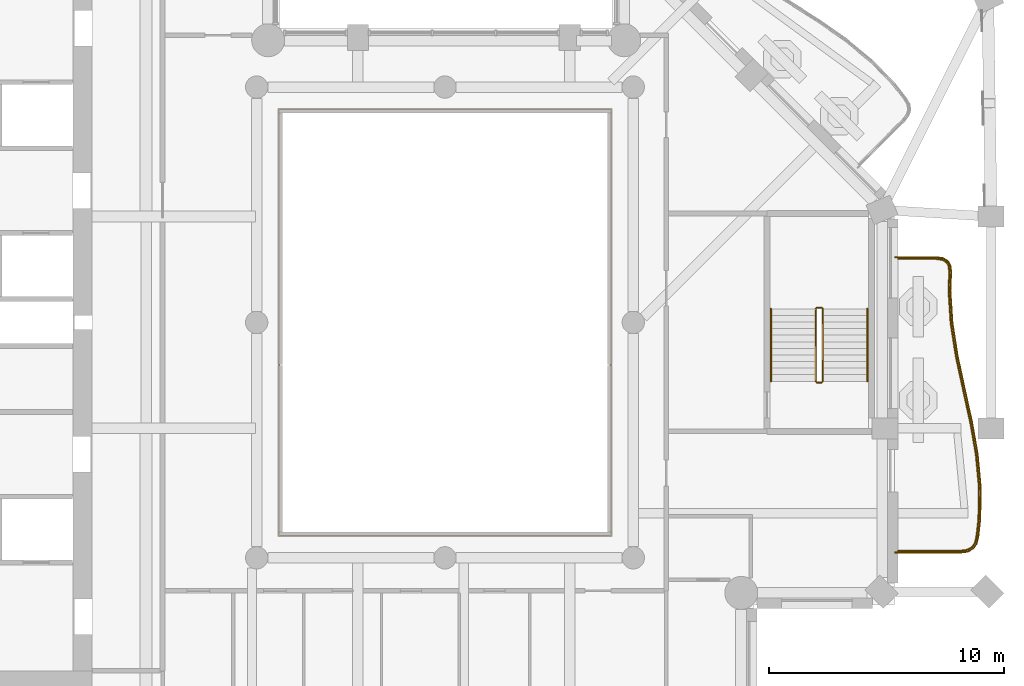
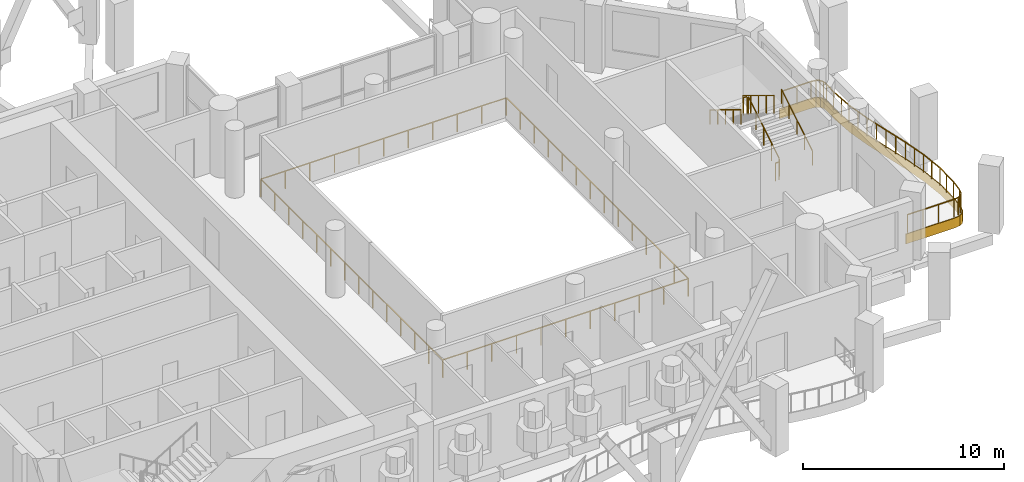
# One storey, part 13 of 16: 8 railings, 1 covering.
"""IFC4 building model written with IfcOpenShell, lengths in metres."""

from ifc_helpers import new_model, si_unit, direction, frame, origin, origin_2d, place, context, subcontext, project, spatial, polyline, rectangle, outline, extrude, material, layer, layer_set, type_object, element, save


model = new_model("IFC4")

# Units and contexts
model_context = context("Model", 3, precision=1e-05, world=origin(), true_north=direction((0.0, 1.0)))
body_context = subcontext(model_context, "Body", "Model", "MODEL_VIEW")
ifc_project = project(units=[si_unit("LENGTHUNIT", "METRE"), si_unit("AREAUNIT", "SQUARE_METRE"), si_unit("VOLUMEUNIT", "CUBIC_METRE"), si_unit("PLANEANGLEUNIT", "RADIAN"), si_unit("MASSUNIT", "GRAM", prefix="KILO")], contexts=[model_context])

# Site, building, storey
site_placement = place(None, origin())
site = spatial("IfcSite", under=ifc_project, at=site_placement, CompositionType="ELEMENT")
building_placement = place(site_placement, origin())
building = spatial("IfcBuilding", under=site, at=building_placement, Name="Cypress Arch Tower", CompositionType="ELEMENT")
storey_placement = place(building_placement, frame((0.0, 0.0, 168.699951171875)))
storey = spatial("IfcBuildingStorey", under=building, at=storey_placement, Name="L36", CompositionType="ELEMENT", Elevation=168.699951171875)

# Railing
ifc_material_1 = material(Name="Stainless steel posts and handrail, laminated glass infill", Category="steel")
railing_type_1 = type_object("IfcRailingType", Name="Atrium guard GR1100A", PredefinedType="GUARDRAIL", material=ifc_material_1)
railing_1_placement = place(storey_placement, frame((8.050048828125, -9.050048828125, 0.0)))
element("IfcRailing", 1, at=railing_1_placement, inside=storey, type_object=railing_type_1, Name="Atrium guard L36", PredefinedType="GUARDRAIL", context=body_context, shape_type="SweptSolid", body=[
    extrude(rectangle(XDim=0.050048828125, YDim=0.050048828125, at=origin_2d()), frame((0.0, 0.0, 1.0751953125), z_axis=(-1.0, 0.0, 0.0), x_axis=(0.0, -1.0, 0.0)), (0.0, 0.0, 1.0), 14.10009765625),
    extrude(rectangle(XDim=0.050048828125, YDim=0.050048828125, at=origin_2d()), frame((-14.10009765625, 0.0, 1.0751953125), z_axis=(0.0, 1.0, 0.0), x_axis=(-1.0, 0.0, 0.0)), (0.0, 0.0, 1.0), 18.10009765625),
    extrude(rectangle(XDim=0.050048828125, YDim=0.050048828125, at=origin_2d()), frame((-14.10009765625, 18.10009765625, 1.0751953125), z_axis=(1.0, 0.0, 0.0), x_axis=(0.0, 1.0, 0.0)), (0.0, 0.0, 1.0), 14.10009765625),
    extrude(rectangle(XDim=0.050048828125, YDim=0.050048828125, at=origin_2d()), frame((0.0, 18.10009765625, 1.0751953125), z_axis=(0.0, -1.0, 0.0), x_axis=(1.0, 0.0, 0.0)), (0.0, 0.0, 1.0), 18.10009765625),
    extrude(rectangle(XDim=0.050048828125, YDim=0.050048828125, at=origin_2d()), origin(), (0.0, 0.0, 1.0), 1.050048828125),
    extrude(rectangle(XDim=0.050048828125, YDim=0.050048828125, at=origin_2d()), frame((-1.409912109375, 0.0, 0.0)), (0.0, 0.0, 1.0), 1.050048828125),
    extrude(rectangle(XDim=0.050048828125, YDim=0.050048828125, at=origin_2d()), frame((-2.820068359375, 0.0, 0.0)), (0.0, 0.0, 1.0), 1.050048828125),
    extrude(rectangle(XDim=0.050048828125, YDim=0.050048828125, at=origin_2d()), frame((-4.22998046875, 0.0, 0.0)), (0.0, 0.0, 1.0), 1.050048828125),
    extrude(rectangle(XDim=0.050048828125, YDim=0.050048828125, at=origin_2d()), frame((-5.64013671875, 0.0, 0.0)), (0.0, 0.0, 1.0), 1.050048828125),
    extrude(rectangle(XDim=0.050048828125, YDim=0.050048828125, at=origin_2d()), frame((-7.050048828125, 0.0, 0.0)), (0.0, 0.0, 1.0), 1.050048828125),
    extrude(rectangle(XDim=0.050048828125, YDim=0.050048828125, at=origin_2d()), frame((-8.4599609375, 0.0, 0.0)), (0.0, 0.0, 1.0), 1.050048828125),
    extrude(rectangle(XDim=0.050048828125, YDim=0.050048828125, at=origin_2d()), frame((-9.8701171875, 0.0, 0.0)), (0.0, 0.0, 1.0), 1.050048828125),
    extrude(rectangle(XDim=0.050048828125, YDim=0.050048828125, at=origin_2d()), frame((-11.280029296875, 0.0, 0.0)), (0.0, 0.0, 1.0), 1.050048828125),
    extrude(rectangle(XDim=0.050048828125, YDim=0.050048828125, at=origin_2d()), frame((-12.690185546875, 0.0, 0.0)), (0.0, 0.0, 1.0), 1.050048828125),
    extrude(rectangle(XDim=0.050048828125, YDim=0.050048828125, at=origin_2d()), frame((-14.10009765625, 0.0, 0.0)), (0.0, 0.0, 1.0), 1.050048828125),
    extrude(rectangle(XDim=0.050048828125, YDim=0.050048828125, at=origin_2d()), frame((-14.10009765625, 1.392333984375, 0.0)), (0.0, 0.0, 1.0), 1.050048828125),
    extrude(rectangle(XDim=0.050048828125, YDim=0.050048828125, at=origin_2d()), frame((-14.10009765625, 2.78466796875, 0.0)), (0.0, 0.0, 1.0), 1.050048828125),
    extrude(rectangle(XDim=0.050048828125, YDim=0.050048828125, at=origin_2d()), frame((-14.10009765625, 4.177001953125, 0.0)), (0.0, 0.0, 1.0), 1.050048828125),
    extrude(rectangle(XDim=0.050048828125, YDim=0.050048828125, at=origin_2d()), frame((-14.10009765625, 5.5693359375, 0.0)), (0.0, 0.0, 1.0), 1.050048828125),
    extrude(rectangle(XDim=0.050048828125, YDim=0.050048828125, at=origin_2d()), frame((-14.10009765625, 6.961669921875, 0.0)), (0.0, 0.0, 1.0), 1.050048828125),
    extrude(rectangle(XDim=0.050048828125, YDim=0.050048828125, at=origin_2d()), frame((-14.10009765625, 8.35400390625, 0.0)), (0.0, 0.0, 1.0), 1.050048828125),
    extrude(rectangle(XDim=0.050048828125, YDim=0.050048828125, at=origin_2d()), frame((-14.10009765625, 9.74609375, 0.0)), (0.0, 0.0, 1.0), 1.050048828125),
    extrude(rectangle(XDim=0.050048828125, YDim=0.050048828125, at=origin_2d()), frame((-14.10009765625, 11.138427734375, 0.0)), (0.0, 0.0, 1.0), 1.050048828125),
    extrude(rectangle(XDim=0.050048828125, YDim=0.050048828125, at=origin_2d()), frame((-14.10009765625, 12.53076171875, 0.0)), (0.0, 0.0, 1.0), 1.050048828125),
    extrude(rectangle(XDim=0.050048828125, YDim=0.050048828125, at=origin_2d()), frame((-14.10009765625, 13.923095703125, 0.0)), (0.0, 0.0, 1.0), 1.050048828125),
    extrude(rectangle(XDim=0.050048828125, YDim=0.050048828125, at=origin_2d()), frame((-14.10009765625, 15.3154296875, 0.0)), (0.0, 0.0, 1.0), 1.050048828125),
    extrude(rectangle(XDim=0.050048828125, YDim=0.050048828125, at=origin_2d()), frame((-14.10009765625, 16.707763671875, 0.0)), (0.0, 0.0, 1.0), 1.050048828125),
    extrude(rectangle(XDim=0.050048828125, YDim=0.050048828125, at=origin_2d()), frame((-14.10009765625, 18.10009765625, 0.0)), (0.0, 0.0, 1.0), 1.050048828125),
    extrude(rectangle(XDim=0.050048828125, YDim=0.050048828125, at=origin_2d()), frame((-12.690185546875, 18.10009765625, 0.0)), (0.0, 0.0, 1.0), 1.050048828125),
    extrude(rectangle(XDim=0.050048828125, YDim=0.050048828125, at=origin_2d()), frame((-11.280029296875, 18.10009765625, 0.0)), (0.0, 0.0, 1.0), 1.050048828125),
    extrude(rectangle(XDim=0.050048828125, YDim=0.050048828125, at=origin_2d()), frame((-9.8701171875, 18.10009765625, 0.0)), (0.0, 0.0, 1.0), 1.050048828125),
    extrude(rectangle(XDim=0.050048828125, YDim=0.050048828125, at=origin_2d()), frame((-8.4599609375, 18.10009765625, 0.0)), (0.0, 0.0, 1.0), 1.050048828125),
    extrude(rectangle(XDim=0.050048828125, YDim=0.050048828125, at=origin_2d()), frame((-7.050048828125, 18.10009765625, 0.0)), (0.0, 0.0, 1.0), 1.050048828125),
    extrude(rectangle(XDim=0.050048828125, YDim=0.050048828125, at=origin_2d()), frame((-5.64013671875, 18.10009765625, 0.0)), (0.0, 0.0, 1.0), 1.050048828125),
    extrude(rectangle(XDim=0.050048828125, YDim=0.050048828125, at=origin_2d()), frame((-4.22998046875, 18.10009765625, 0.0)), (0.0, 0.0, 1.0), 1.050048828125),
    extrude(rectangle(XDim=0.050048828125, YDim=0.050048828125, at=origin_2d()), frame((-2.820068359375, 18.10009765625, 0.0)), (0.0, 0.0, 1.0), 1.050048828125),
    extrude(rectangle(XDim=0.050048828125, YDim=0.050048828125, at=origin_2d()), frame((-1.409912109375, 18.10009765625, 0.0)), (0.0, 0.0, 1.0), 1.050048828125),
    extrude(rectangle(XDim=0.050048828125, YDim=0.050048828125, at=origin_2d()), frame((0.0, 18.10009765625, 0.0)), (0.0, 0.0, 1.0), 1.050048828125),
    extrude(rectangle(XDim=0.050048828125, YDim=0.050048828125, at=origin_2d()), frame((0.0, 16.707763671875, 0.0)), (0.0, 0.0, 1.0), 1.050048828125),
    extrude(rectangle(XDim=0.050048828125, YDim=0.050048828125, at=origin_2d()), frame((0.0, 15.3154296875, 0.0)), (0.0, 0.0, 1.0), 1.050048828125),
    extrude(rectangle(XDim=0.050048828125, YDim=0.050048828125, at=origin_2d()), frame((0.0, 13.923095703125, 0.0)), (0.0, 0.0, 1.0), 1.050048828125),
    extrude(rectangle(XDim=0.050048828125, YDim=0.050048828125, at=origin_2d()), frame((0.0, 12.53076171875, 0.0)), (0.0, 0.0, 1.0), 1.050048828125),
    extrude(rectangle(XDim=0.050048828125, YDim=0.050048828125, at=origin_2d()), frame((0.0, 11.138427734375, 0.0)), (0.0, 0.0, 1.0), 1.050048828125),
    extrude(rectangle(XDim=0.050048828125, YDim=0.050048828125, at=origin_2d()), frame((0.0, 9.74609375, 0.0)), (0.0, 0.0, 1.0), 1.050048828125),
    extrude(rectangle(XDim=0.050048828125, YDim=0.050048828125, at=origin_2d()), frame((0.0, 8.35400390625, 0.0)), (0.0, 0.0, 1.0), 1.050048828125),
    extrude(rectangle(XDim=0.050048828125, YDim=0.050048828125, at=origin_2d()), frame((0.0, 6.961669921875, 0.0)), (0.0, 0.0, 1.0), 1.050048828125),
    extrude(rectangle(XDim=0.050048828125, YDim=0.050048828125, at=origin_2d()), frame((0.0, 5.5693359375, 0.0)), (0.0, 0.0, 1.0), 1.050048828125),
    extrude(rectangle(XDim=0.050048828125, YDim=0.050048828125, at=origin_2d()), frame((0.0, 4.177001953125, 0.0)), (0.0, 0.0, 1.0), 1.050048828125),
    extrude(rectangle(XDim=0.050048828125, YDim=0.050048828125, at=origin_2d()), frame((0.0, 2.78466796875, 0.0)), (0.0, 0.0, 1.0), 1.050048828125),
    extrude(rectangle(XDim=0.050048828125, YDim=0.050048828125, at=origin_2d()), frame((0.0, 1.392333984375, 0.0)), (0.0, 0.0, 1.0), 1.050048828125),
])

# Covering
ifc_material_2 = material(Name="White powder-coated aluminium fascia", Category="aluminium")
ifc_layer = layer(ifc_material_2, 0.050048828125)
ifc_layer_set = layer_set([ifc_layer], Name="Balcony fascia BF50")
covering_type = type_object("IfcCoveringType", Name="Balcony fascia BF50", PredefinedType="CLADDING", material=ifc_layer_set)
covering_placement = place(storey_placement, frame((0.0, 0.0, -0.599853515625)))
element("IfcCovering", 2, at=covering_placement, inside=storey, type_object=covering_type, Name="Balcony fascia L36-B04", PredefinedType="CLADDING", context=body_context, shape_type="SweptSolid", body=[
    extrude(outline(polyline([(21.8857421875, 2.800048828125), (22.171630859375, 2.759033203125), (22.382080078125, 2.62939453125), (22.502197265625, 2.413818359375), (22.531005859375, 2.12646484375), (22.497802734375, 1.361572265625), (22.5869140625, -0.022216796875), (22.804931640625, -1.407470703125), (23.101806640625, -2.794921875), (23.4091796875, -4.1845703125), (23.656494140625, -5.57666015625), (23.785888671875, -6.97021484375), (23.767822265625, -8.3642578125), (23.678466796875, -9.13427734375), (23.60400390625, -9.420166015625), (23.451416015625, -9.632080078125), (23.223388671875, -9.75927734375), (22.930908203125, -9.800048828125), (20.10107421875, -9.800048828125), (20.10107421875, -9.75), (22.927490234375, -9.75), (23.207275390625, -9.7109375), (23.41748046875, -9.59375), (23.55810546875, -9.3984375), (23.629150390625, -9.125), (23.7177734375, -8.361083984375), (23.736083984375, -6.97216796875), (23.60693359375, -5.583251953125), (23.360107421875, -4.1943359375), (23.052978515625, -2.8056640625), (22.755615234375, -1.416748046875), (22.537109375, -0.02783203125), (22.44775390625, 1.361083984375), (22.480712890625, 2.125), (22.45361328125, 2.3984375), (22.3447265625, 2.59375), (22.154296875, 2.7109375), (21.88232421875, 2.75), (20.10107421875, 2.75), (20.10107421875, 2.800048828125), (21.8857421875, 2.800048828125)])), origin(), (0.0, 0.0, 1.0), 0.599853515625),
])

# Railings
ifc_material_3 = material(Name="Powder-coated steel posts and rods, 100 mm clear between rods", Category="steel")
railing_type_2 = type_object("IfcRailingType", Name="Balcony guard GR1100", PredefinedType="GUARDRAIL", material=ifc_material_3)
railing_2_placement = place(storey_placement, frame((20.25, 2.699951171875, 0.0)))
element("IfcRailing", 3, at=railing_2_placement, inside=storey, type_object=railing_type_2, Name="Balcony guard L36-B04", PredefinedType="GUARDRAIL", context=body_context, shape_type="SweptSolid", body=[
    extrude(rectangle(XDim=0.050048828125, YDim=0.050048828125, at=origin_2d()), frame((0.0, 0.0, 1.0751953125), z_axis=(1.0, 0.0, 0.0), x_axis=(0.0, 1.0, 0.0)), (0.0, 0.0, 1.0), 1.628662109375),
    extrude(rectangle(XDim=0.050048828125, YDim=0.050048828125, at=origin_2d()), frame((1.628662109375, 0.0, 1.0751953125), z_axis=(0.989836912884, -0.142207193533, 0.0), x_axis=(0.142207193533, 0.989836912884, 0.0)), (0.0, 0.0, 1.0), 0.260986328125),
    extrude(rectangle(XDim=0.050048828125, YDim=0.050048828125, at=origin_2d()), frame((1.886962890625, -0.037109375, 1.0751953125), z_axis=(0.851951536995, -0.523620643798, 0.0), x_axis=(0.523620643798, 0.851951536995, 0.0)), (0.0, 0.0, 1.0), 0.199951171875),
    extrude(rectangle(XDim=0.050048828125, YDim=0.050048828125, at=origin_2d()), frame((2.057373046875, -0.141845703125, 1.0751953125), z_axis=(0.486263658876, -0.873812138882, 0.0), x_axis=(0.873812138882, 0.486263658876, 0.0)), (0.0, 0.0, 1.0), 0.200439453125),
    extrude(rectangle(XDim=0.050048828125, YDim=0.050048828125, at=origin_2d()), frame((2.15478515625, -0.31689453125, 1.0751953125), z_axis=(0.099225668242, -0.995064956052, 0.0), x_axis=(0.995064956052, 0.099225668242, 0.0)), (0.0, 0.0, 1.0), 0.2607421875),
    extrude(rectangle(XDim=0.050048828125, YDim=0.050048828125, at=origin_2d()), frame((2.1806640625, -0.576416015625, 1.0751953125), z_axis=(-0.043159745551, -0.999068184042, 0.0), x_axis=(0.999068184042, -0.043159745551, 0.0)), (0.0, 0.0, 1.0), 0.763671875),
    extrude(rectangle(XDim=0.050048828125, YDim=0.050048828125, at=origin_2d()), frame((2.147705078125, -1.33935546875, 1.0751953125), z_axis=(0.064326124768, -0.997928930171, 0.0), x_axis=(0.997928930171, 0.064326124768, 0.0)), (0.0, 0.0, 1.0), 1.396728515625),
    extrude(rectangle(XDim=0.050048828125, YDim=0.050048828125, at=origin_2d()), frame((2.237548828125, -2.733154296875, 1.0751953125), z_axis=(0.155348899076, -0.987859665922, 0.0), x_axis=(0.987859665922, 0.155348899076, 0.0)), (0.0, 0.0, 1.0), 1.40966796875),
    extrude(rectangle(XDim=0.050048828125, YDim=0.050048828125, at=origin_2d()), frame((2.45654296875, -4.125732421875, 1.0751953125), z_axis=(0.209142097877, -0.977885260598, 0.0), x_axis=(0.977885260598, 0.209142097877, 0.0)), (0.0, 0.0, 1.0), 1.421875),
    extrude(rectangle(XDim=0.050048828125, YDim=0.050048828125, at=origin_2d()), frame((2.75390625, -5.51611328125, 1.0751953125), z_axis=(0.216057493166, -0.976380642806, 0.0), x_axis=(0.976380642806, 0.216057493166, 0.0)), (0.0, 0.0, 1.0), 1.421630859375),
    extrude(rectangle(XDim=0.050048828125, YDim=0.050048828125, at=origin_2d()), frame((3.06103515625, -6.904052734375, 1.0751953125), z_axis=(0.17482411091, -0.984599680197, 0.0), x_axis=(0.984599680197, 0.17482411091, 0.0)), (0.0, 0.0, 1.0), 1.40771484375),
    extrude(rectangle(XDim=0.050048828125, YDim=0.050048828125, at=origin_2d()), frame((3.30712890625, -8.2900390625, 1.0751953125), z_axis=(0.092736755946, -0.995690661851, 0.0), x_axis=(0.995690661851, 0.092736755946, 0.0)), (0.0, 0.0, 1.0), 1.39013671875),
    extrude(rectangle(XDim=0.050048828125, YDim=0.050048828125, at=origin_2d()), frame((3.43603515625, -9.674072265625, 1.0751953125), z_axis=(-0.013054639036, -0.999914784569, 0.0), x_axis=(0.999914784569, -0.013054639036, 0.0)), (0.0, 0.0, 1.0), 1.3837890625),
    extrude(rectangle(XDim=0.050048828125, YDim=0.050048828125, at=origin_2d()), frame((3.41796875, -11.057861328125, 1.0751953125), z_axis=(-0.115522886445, -0.993304818627, 0.0), x_axis=(0.993304818627, -0.115522886445, 0.0)), (0.0, 0.0, 1.0), 0.762939453125),
    extrude(rectangle(XDim=0.050048828125, YDim=0.050048828125, at=origin_2d()), frame((3.329833984375, -11.815673828125, 1.0751953125), z_axis=(-0.251684732314, -0.967809276418, 0.0), x_axis=(0.967809276418, -0.251684732314, 0.0)), (0.0, 0.0, 1.0), 0.269775390625),
    extrude(rectangle(XDim=0.050048828125, YDim=0.050048828125, at=origin_2d()), frame((3.261962890625, -12.07666015625, 1.0751953125), z_axis=(-0.584275518876, -0.811555369672, 0.0), x_axis=(0.811555369672, -0.584275518876, 0.0)), (0.0, 0.0, 1.0), 0.22021484375),
    extrude(rectangle(XDim=0.050048828125, YDim=0.050048828125, at=origin_2d()), frame((3.13330078125, -12.25537109375, 1.0751953125), z_axis=(-0.873581442895, -0.486677986588, 0.0), x_axis=(0.486677986588, -0.873581442895, 0.0)), (0.0, 0.0, 1.0), 0.22021484375),
    extrude(rectangle(XDim=0.050048828125, YDim=0.050048828125, at=origin_2d()), frame((2.94091796875, -12.362548828125, 1.0751953125), z_axis=(-0.990361624649, -0.1385057848, 0.0), x_axis=(0.1385057848, -0.990361624649, 0.0)), (0.0, 0.0, 1.0), 0.269775390625),
    extrude(rectangle(XDim=0.050048828125, YDim=0.050048828125, at=origin_2d()), frame((2.673828125, -12.39990234375, 1.0751953125), z_axis=(-1.0, 0.0, 0.0), x_axis=(0.0, -1.0, 0.0)), (0.0, 0.0, 1.0), 2.673828125),
    extrude(rectangle(XDim=0.0400390625, YDim=0.0400390625, at=origin_2d()), origin(), (0.0, 0.0, 1.0), 1.050048828125),
    extrude(rectangle(XDim=0.0400390625, YDim=0.0400390625, at=origin_2d()), frame((0.814453125, 0.0, 0.0)), (0.0, 0.0, 1.0), 1.050048828125),
    extrude(rectangle(XDim=0.0400390625, YDim=0.0400390625, at=origin_2d()), frame((1.628662109375, 0.0, 0.0)), (0.0, 0.0, 1.0), 1.050048828125),
    extrude(rectangle(XDim=0.0400390625, YDim=0.0400390625, at=origin_2d()), frame((1.886962890625, -0.037109375, 0.0)), (0.0, 0.0, 1.0), 1.050048828125),
    extrude(rectangle(XDim=0.0400390625, YDim=0.0400390625, at=origin_2d()), frame((2.057373046875, -0.141845703125, 0.0)), (0.0, 0.0, 1.0), 1.050048828125),
    extrude(rectangle(XDim=0.0400390625, YDim=0.0400390625, at=origin_2d()), frame((2.15478515625, -0.31689453125, 0.0)), (0.0, 0.0, 1.0), 1.050048828125),
    extrude(rectangle(XDim=0.0400390625, YDim=0.0400390625, at=origin_2d()), frame((2.1806640625, -0.576416015625, 0.0)), (0.0, 0.0, 1.0), 1.050048828125),
    extrude(rectangle(XDim=0.0400390625, YDim=0.0400390625, at=origin_2d()), frame((2.147705078125, -1.33935546875, 0.0)), (0.0, 0.0, 1.0), 1.050048828125),
    extrude(rectangle(XDim=0.0400390625, YDim=0.0400390625, at=origin_2d()), frame((2.192626953125, -2.0361328125, 0.0)), (0.0, 0.0, 1.0), 1.050048828125),
    extrude(rectangle(XDim=0.0400390625, YDim=0.0400390625, at=origin_2d()), frame((2.237548828125, -2.733154296875, 0.0)), (0.0, 0.0, 1.0), 1.050048828125),
    extrude(rectangle(XDim=0.0400390625, YDim=0.0400390625, at=origin_2d()), frame((2.34716796875, -3.429443359375, 0.0)), (0.0, 0.0, 1.0), 1.050048828125),
    extrude(rectangle(XDim=0.0400390625, YDim=0.0400390625, at=origin_2d()), frame((2.45654296875, -4.125732421875, 0.0)), (0.0, 0.0, 1.0), 1.050048828125),
    extrude(rectangle(XDim=0.0400390625, YDim=0.0400390625, at=origin_2d()), frame((2.605224609375, -4.82080078125, 0.0)), (0.0, 0.0, 1.0), 1.050048828125),
    extrude(rectangle(XDim=0.0400390625, YDim=0.0400390625, at=origin_2d()), frame((2.75390625, -5.51611328125, 0.0)), (0.0, 0.0, 1.0), 1.050048828125),
    extrude(rectangle(XDim=0.0400390625, YDim=0.0400390625, at=origin_2d()), frame((2.907470703125, -6.2099609375, 0.0)), (0.0, 0.0, 1.0), 1.050048828125),
    extrude(rectangle(XDim=0.0400390625, YDim=0.0400390625, at=origin_2d()), frame((3.06103515625, -6.904052734375, 0.0)), (0.0, 0.0, 1.0), 1.050048828125),
    extrude(rectangle(XDim=0.0400390625, YDim=0.0400390625, at=origin_2d()), frame((3.18408203125, -7.59716796875, 0.0)), (0.0, 0.0, 1.0), 1.050048828125),
    extrude(rectangle(XDim=0.0400390625, YDim=0.0400390625, at=origin_2d()), frame((3.30712890625, -8.2900390625, 0.0)), (0.0, 0.0, 1.0), 1.050048828125),
    extrude(rectangle(XDim=0.0400390625, YDim=0.0400390625, at=origin_2d()), frame((3.37158203125, -8.98193359375, 0.0)), (0.0, 0.0, 1.0), 1.050048828125),
    extrude(rectangle(XDim=0.0400390625, YDim=0.0400390625, at=origin_2d()), frame((3.43603515625, -9.674072265625, 0.0)), (0.0, 0.0, 1.0), 1.050048828125),
    extrude(rectangle(XDim=0.0400390625, YDim=0.0400390625, at=origin_2d()), frame((3.427001953125, -10.365966796875, 0.0)), (0.0, 0.0, 1.0), 1.050048828125),
    extrude(rectangle(XDim=0.0400390625, YDim=0.0400390625, at=origin_2d()), frame((3.41796875, -11.057861328125, 0.0)), (0.0, 0.0, 1.0), 1.050048828125),
    extrude(rectangle(XDim=0.0400390625, YDim=0.0400390625, at=origin_2d()), frame((3.329833984375, -11.815673828125, 0.0)), (0.0, 0.0, 1.0), 1.050048828125),
    extrude(rectangle(XDim=0.0400390625, YDim=0.0400390625, at=origin_2d()), frame((3.261962890625, -12.07666015625, 0.0)), (0.0, 0.0, 1.0), 1.050048828125),
    extrude(rectangle(XDim=0.0400390625, YDim=0.0400390625, at=origin_2d()), frame((3.13330078125, -12.25537109375, 0.0)), (0.0, 0.0, 1.0), 1.050048828125),
    extrude(rectangle(XDim=0.0400390625, YDim=0.0400390625, at=origin_2d()), frame((2.94091796875, -12.362548828125, 0.0)), (0.0, 0.0, 1.0), 1.050048828125),
    extrude(rectangle(XDim=0.0400390625, YDim=0.0400390625, at=origin_2d()), frame((2.673828125, -12.39990234375, 0.0)), (0.0, 0.0, 1.0), 1.050048828125),
    extrude(rectangle(XDim=0.0400390625, YDim=0.0400390625, at=origin_2d()), frame((1.782470703125, -12.39990234375, 0.0)), (0.0, 0.0, 1.0), 1.050048828125),
    extrude(rectangle(XDim=0.0400390625, YDim=0.0400390625, at=origin_2d()), frame((0.891357421875, -12.39990234375, 0.0)), (0.0, 0.0, 1.0), 1.050048828125),
    extrude(rectangle(XDim=0.0400390625, YDim=0.0400390625, at=origin_2d()), frame((0.0, -12.39990234375, 0.0)), (0.0, 0.0, 1.0), 1.050048828125),
])
ifc_material_4 = material(Name="Black powder-coated steel square bar 48 mm", Category="steel")
railing_type_3 = type_object("IfcRailingType", Name="Stair handrail HR1", PredefinedType="HANDRAIL", material=ifc_material_4)
railing_3_placement = place(storey_placement, frame((18.949951171875, -2.5, 0.1708984375)))
element("IfcRailing", 4, at=railing_3_placement, inside=storey, type_object=railing_type_3, Name="L36 C stair handrail 1", PredefinedType="HANDRAIL", context=body_context, shape_type="SweptSolid", body=[
    extrude(rectangle(XDim=0.048095703125, YDim=0.048095703125, at=origin_2d()), frame((0.0, 0.0, 0.8759765625), z_axis=(0.0, 0.853666305674, 0.52082035152), x_axis=(-1.0, 0.0, 0.0)), (0.0, 0.0, 1.0), 3.608154296875),
    extrude(rectangle(XDim=0.0419921875, YDim=0.0419921875, at=origin_2d()), origin(), (0.0, 0.0, 1.0), 0.851806640625),
    extrude(rectangle(XDim=0.0419921875, YDim=0.0419921875, at=origin_2d()), frame((0.0, 0.77001953125, 0.4697265625)), (0.0, 0.0, 1.0), 0.851806640625),
    extrude(rectangle(XDim=0.0419921875, YDim=0.0419921875, at=origin_2d()), frame((0.0, 1.5400390625, 0.939453125)), (0.0, 0.0, 1.0), 0.851806640625),
    extrude(rectangle(XDim=0.0419921875, YDim=0.0419921875, at=origin_2d()), frame((0.0, 2.31005859375, 1.409423828125)), (0.0, 0.0, 1.0), 0.851806640625),
    extrude(rectangle(XDim=0.0419921875, YDim=0.0419921875, at=origin_2d()), frame((0.0, 3.080078125, 1.879150390625)), (0.0, 0.0, 1.0), 0.851806640625),
])
railing_4_placement = place(storey_placement, frame((14.85009765625, 0.580078125, 2.220947265625)))
element("IfcRailing", 5, at=railing_4_placement, inside=storey, type_object=railing_type_3, Name="L36 C stair handrail 2", PredefinedType="HANDRAIL", context=body_context, shape_type="SweptSolid", body=[
    extrude(rectangle(XDim=0.048095703125, YDim=0.048095703125, at=origin_2d()), frame((0.0, 0.0, 0.8759765625), z_axis=(0.0, -0.853666305674, 0.52082035152), x_axis=(1.0, 0.0, 0.0)), (0.0, 0.0, 1.0), 3.608154296875),
    extrude(rectangle(XDim=0.0419921875, YDim=0.0419921875, at=origin_2d()), origin(), (0.0, 0.0, 1.0), 0.851806640625),
    extrude(rectangle(XDim=0.0419921875, YDim=0.0419921875, at=origin_2d()), frame((0.0, -0.77001953125, 0.4697265625)), (0.0, 0.0, 1.0), 0.851806640625),
    extrude(rectangle(XDim=0.0419921875, YDim=0.0419921875, at=origin_2d()), frame((0.0, -1.5400390625, 0.939453125)), (0.0, 0.0, 1.0), 0.851806640625),
    extrude(rectangle(XDim=0.0419921875, YDim=0.0419921875, at=origin_2d()), frame((0.0, -2.31005859375, 1.409423828125)), (0.0, 0.0, 1.0), 0.851806640625),
    extrude(rectangle(XDim=0.0419921875, YDim=0.0419921875, at=origin_2d()), frame((0.0, -3.080078125, 1.879150390625)), (0.0, 0.0, 1.0), 0.851806640625),
])
ifc_material_5 = material(Name="Black powder-coated steel balusters", Category="steel")
railing_type_4 = type_object("IfcRailingType", Name="Stair well guard G1", PredefinedType="GUARDRAIL", material=ifc_material_5)
railing_5_placement = place(storey_placement, frame((17.050048828125, -2.5, 0.1708984375)))
element("IfcRailing", 6, at=railing_5_placement, inside=storey, type_object=railing_type_4, Name="L36 C stair guard 1", PredefinedType="GUARDRAIL", context=body_context, shape_type="SweptSolid", body=[
    extrude(rectangle(XDim=0.048095703125, YDim=0.048095703125, at=origin_2d()), frame((0.0, 0.0, 1.076171875), z_axis=(0.0, 0.853666305674, 0.52082035152), x_axis=(-1.0, 0.0, 0.0)), (0.0, 0.0, 1.0), 3.608154296875),
    extrude(rectangle(XDim=0.0419921875, YDim=0.0419921875, at=origin_2d()), origin(), (0.0, 0.0, 1.0), 1.052001953125),
    extrude(rectangle(XDim=0.0419921875, YDim=0.0419921875, at=origin_2d()), frame((0.0, 0.77001953125, 0.4697265625)), (0.0, 0.0, 1.0), 1.052001953125),
    extrude(rectangle(XDim=0.0419921875, YDim=0.0419921875, at=origin_2d()), frame((0.0, 1.5400390625, 0.939453125)), (0.0, 0.0, 1.0), 1.052001953125),
    extrude(rectangle(XDim=0.0419921875, YDim=0.0419921875, at=origin_2d()), frame((0.0, 2.31005859375, 1.409423828125)), (0.0, 0.0, 1.0), 1.052001953125),
    extrude(rectangle(XDim=0.0419921875, YDim=0.0419921875, at=origin_2d()), frame((0.0, 3.080078125, 1.879150390625)), (0.0, 0.0, 1.0), 1.052001953125),
])
railing_6_placement = place(storey_placement, frame((17.0, 0.6298828125, 2.050048828125)))
element("IfcRailing", 7, at=railing_6_placement, inside=storey, type_object=railing_type_4, Name="L36 C stair guard 2", PredefinedType="GUARDRAIL", context=body_context, shape_type="SweptSolid", body=[
    extrude(rectangle(XDim=0.048095703125, YDim=0.048095703125, at=origin_2d()), frame((0.0, 0.0, 1.076171875), z_axis=(-1.0, 0.0, 0.0), x_axis=(0.0, -1.0, 0.0)), (0.0, 0.0, 1.0), 0.199951171875),
    extrude(rectangle(XDim=0.0419921875, YDim=0.0419921875, at=origin_2d()), origin(), (0.0, 0.0, 1.0), 1.052001953125),
    extrude(rectangle(XDim=0.0419921875, YDim=0.0419921875, at=origin_2d()), frame((-0.199951171875, 0.0, 0.0)), (0.0, 0.0, 1.0), 1.052001953125),
])
railing_7_placement = place(storey_placement, frame((16.75, 0.580078125, 2.220947265625)))
element("IfcRailing", 8, at=railing_7_placement, inside=storey, type_object=railing_type_4, Name="L36 C stair guard 3", PredefinedType="GUARDRAIL", context=body_context, shape_type="SweptSolid", body=[
    extrude(rectangle(XDim=0.048095703125, YDim=0.048095703125, at=origin_2d()), frame((0.0, 0.0, 1.076171875), z_axis=(0.0, -0.853666305674, 0.52082035152), x_axis=(1.0, 0.0, 0.0)), (0.0, 0.0, 1.0), 3.608154296875),
    extrude(rectangle(XDim=0.0419921875, YDim=0.0419921875, at=origin_2d()), origin(), (0.0, 0.0, 1.0), 1.052001953125),
    extrude(rectangle(XDim=0.0419921875, YDim=0.0419921875, at=origin_2d()), frame((0.0, -0.77001953125, 0.4697265625)), (0.0, 0.0, 1.0), 1.052001953125),
    extrude(rectangle(XDim=0.0419921875, YDim=0.0419921875, at=origin_2d()), frame((0.0, -1.5400390625, 0.939453125)), (0.0, 0.0, 1.0), 1.052001953125),
    extrude(rectangle(XDim=0.0419921875, YDim=0.0419921875, at=origin_2d()), frame((0.0, -2.31005859375, 1.409423828125)), (0.0, 0.0, 1.0), 1.052001953125),
    extrude(rectangle(XDim=0.0419921875, YDim=0.0419921875, at=origin_2d()), frame((0.0, -3.080078125, 1.879150390625)), (0.0, 0.0, 1.0), 1.052001953125),
])
railing_8_placement = place(storey_placement, frame((17.0, -2.550048828125, 0.0)))
element("IfcRailing", 9, at=railing_8_placement, inside=storey, type_object=railing_type_4, Name="L36 C stair guard 4", PredefinedType="GUARDRAIL", context=body_context, shape_type="SweptSolid", body=[
    extrude(rectangle(XDim=0.048095703125, YDim=0.048095703125, at=origin_2d()), frame((0.0, 0.0, 1.076171875), z_axis=(-1.0, 0.0, 0.0), x_axis=(0.0, -1.0, 0.0)), (0.0, 0.0, 1.0), 0.199951171875),
    extrude(rectangle(XDim=0.0419921875, YDim=0.0419921875, at=origin_2d()), origin(), (0.0, 0.0, 1.0), 1.052001953125),
    extrude(rectangle(XDim=0.0419921875, YDim=0.0419921875, at=origin_2d()), frame((-0.199951171875, 0.0, 0.0)), (0.0, 0.0, 1.0), 1.052001953125),
])

save(model, "model.ifc")
